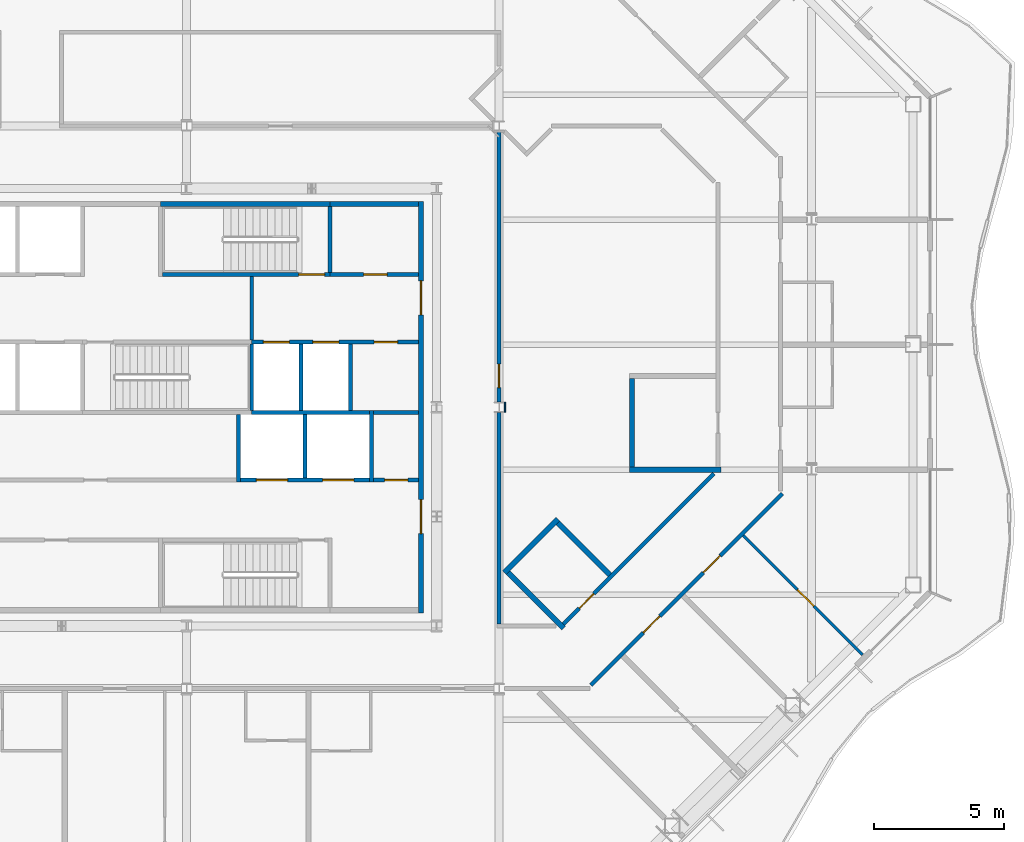
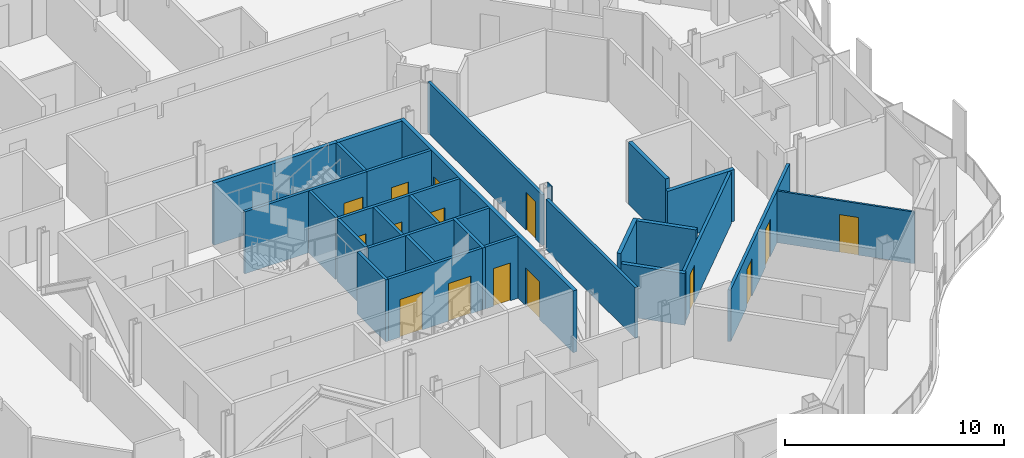
# One storey, part 10 of 21: 29 walls, 15 doors, 15 openings.
"""IFC4 building model written with IfcOpenShell, lengths in metres."""

import ifcopenshell
import ifcopenshell.guid

model = None  # the IFC model being written
_history = None  # IfcOwnerHistory: only IFC2X3 demands one
_inside = {}  # id of a spatial element -> (the spatial element, [elements in it])
_under = {}  # id of a project, library or spatial element -> (it, [spatial elements below it])
_declared = {}  # id of a project -> (the project, [libraries it declares])
_typed = {}  # id of a type object -> (the type object, [elements of that type])
_made_of = {}  # id of a material, layer set ... -> (it, [elements and type objects made of it])


def new_model(schema):
    """Start an empty IFC model of exactly this schema.

    Asked for "IFC4X3", IfcOpenShell would pick the latest addendum, in which some entities
    have other attributes; the version numbers below select the first issue.
    IFC2X3 requires an IfcOwnerHistory on every rooted entity: one is made here for all.
    """
    global model, _history
    if schema == "IFC4X3":
        model = ifcopenshell.file(schema_version=(4, 3, 0, 0))
    else:
        model = ifcopenshell.file(schema=schema)
    _inside.clear()
    _under.clear()
    _declared.clear()
    _typed.clear()
    _made_of.clear()
    _history = None
    if model.schema == "IFC2X3":
        org = make("IfcOrganization", Name="unknown")
        user = make(
            "IfcPersonAndOrganization",
            ThePerson=make("IfcPerson", FamilyName="unknown"),
            TheOrganization=org,
        )
        app = make(
            "IfcApplication",
            ApplicationDeveloper=org,
            Version="unknown",
            ApplicationFullName="unknown",
            ApplicationIdentifier="unknown",
        )
        _history = make(
            "IfcOwnerHistory",
            OwningUser=user,
            OwningApplication=app,
            ChangeAction="ADDED",
            CreationDate=0,
        )
    return model


def make(cls, **values):
    """One entity of the class cls with the attributes given. An attribute that is None is left unset."""
    return model.create_entity(
        cls, **{name: value for name, value in values.items() if value is not None}
    )


def rooted(cls, **values):
    """An entity with a GlobalId (a new one), such as an element, a storey or a relation."""
    return make(cls, GlobalId=ifcopenshell.guid.new(), OwnerHistory=_history, **values)


def si_unit(unit_type, name, prefix=None):
    """IfcSIUnit, for example si_unit("LENGTHUNIT", "METRE", prefix="MILLI")."""
    return make("IfcSIUnit", UnitType=unit_type, Prefix=prefix, Name=name)


def assignment(units):
    """IfcUnitAssignment: the units of a project."""
    return None if units is None else make("IfcUnitAssignment", Units=units)


def point(xyz):
    """IfcCartesianPoint."""
    return None if xyz is None else make("IfcCartesianPoint", Coordinates=xyz)


def direction(xyz):
    """IfcDirection."""
    return None if xyz is None else make("IfcDirection", DirectionRatios=xyz)


def frame(location, z_axis=None, x_axis=None):
    """IfcAxis2Placement3D, a coordinate frame: its origin and axes. An axis left out is left unset."""
    return make(
        "IfcAxis2Placement3D",
        Location=point(location),
        Axis=direction(z_axis),
        RefDirection=direction(x_axis),
    )


def frame_2d(location, x_axis=None):
    """IfcAxis2Placement2D, a coordinate frame in the plane: its origin and x axis."""
    return make(
        "IfcAxis2Placement2D", Location=point(location), RefDirection=direction(x_axis)
    )


def origin():
    """The frame at (0, 0, 0) with its axes left unset."""
    return frame((0.0, 0.0, 0.0))


def place(relative_to, where):
    """IfcLocalPlacement: puts the frame where relative to a parent placement (None: the world)."""
    return make(
        "IfcLocalPlacement", PlacementRelTo=relative_to, RelativePlacement=where
    )


def context(
    kind, dimensions, precision=None, world=None, true_north=None, identifier=None
):
    """IfcGeometricRepresentationContext, for example the 3D "Model" context."""
    return make(
        "IfcGeometricRepresentationContext",
        ContextIdentifier=identifier,
        ContextType=kind,
        CoordinateSpaceDimension=dimensions,
        Precision=precision,
        WorldCoordinateSystem=world,
        TrueNorth=true_north,
    )


def subcontext(parent, identifier, kind, view, scale=None):
    """IfcGeometricRepresentationSubContext, for example "Body" below "Model"."""
    return make(
        "IfcGeometricRepresentationSubContext",
        ContextIdentifier=identifier,
        ContextType=kind,
        ParentContext=parent,
        TargetScale=scale,
        TargetView=view,
    )


def project(units=None, contexts=None):
    """IfcProject with its units and contexts."""
    return rooted(
        "IfcProject",
        Name="project",
        RepresentationContexts=contexts,
        UnitsInContext=assignment(units),
    )


def spatial(cls, under=None, at=None, **own):
    """A site, building, storey or space (cls), placed at a placement, below another one or the project."""
    s = rooted(cls, ObjectPlacement=at, **own)
    if under is not None:
        _under.setdefault(under.id(), (under, []))[1].append(s)
    return s


def polyline(points):
    """IfcPolyline through the points."""
    return make("IfcPolyline", Points=[point(p) for p in points])


def profile(cls, at=None, kind="AREA", **sizes):
    """A parametric profile (cls). Its sizes go by their IFC names, for example OverallWidth=200.0."""
    return make(cls, ProfileType=kind, Position=at, **sizes)


def rectangle(**sizes):
    """IfcRectangleProfileDef."""
    return profile("IfcRectangleProfileDef", **sizes)


def outline(outer, holes=None, kind="AREA"):
    """IfcArbitraryClosedProfileDef: a profile drawn as a closed curve; with holes, ...WithVoids."""
    if holes is None:
        return make("IfcArbitraryClosedProfileDef", ProfileType=kind, OuterCurve=outer)
    return make(
        "IfcArbitraryProfileDefWithVoids",
        ProfileType=kind,
        OuterCurve=outer,
        InnerCurves=holes,
    )


def extrude(swept, where, along, depth):
    """IfcExtrudedAreaSolid: the profile swept, set in the frame where, extruded along a direction by depth."""
    return make(
        "IfcExtrudedAreaSolid",
        SweptArea=swept,
        Position=where,
        ExtrudedDirection=direction(along),
        Depth=depth,
    )


def shape(context_of_items, identifier, shape_type, items):
    """IfcShapeRepresentation: the items that make up one representation, for example the "Body"."""
    return make(
        "IfcShapeRepresentation",
        ContextOfItems=context_of_items,
        RepresentationIdentifier=identifier,
        RepresentationType=shape_type,
        Items=items,
    )


def material(Name=None, Category=None):
    """IfcMaterial."""
    return make("IfcMaterial", Name=Name, Category=Category)


def layer(
    of_material, thickness, ventilated=None, Name=None, Category=None, Priority=None
):
    """IfcMaterialLayer: one layer of a wall or slab, of a material (None: an air gap)."""
    return make(
        "IfcMaterialLayer",
        Material=of_material,
        LayerThickness=thickness,
        IsVentilated=ventilated,
        Name=Name,
        Category=Category,
        Priority=Priority,
    )


def layer_set(layers, Name=None):
    """IfcMaterialLayerSet."""
    return make("IfcMaterialLayerSet", MaterialLayers=layers, LayerSetName=Name)


def made_of(thing, what):
    """Note that an element or type object is made of a material, layer set ...; save() writes the relation."""
    if what is not None:
        _made_of.setdefault(what.id(), (what, []))[1].append(thing)
    return thing


def type_object(cls, material=None, **own):
    """A type object (cls), such as IfcWallType, which elements share."""
    return made_of(rooted(cls, **own), material)


def element(
    cls,
    number,
    at=None,
    inside=None,
    cuts=None,
    type_object=None,
    material=None,
    context=None,
    identifier="Body",
    shape_type=None,
    held_by="IfcProductDefinitionShape",
    body=None,
    shapes=None,
    **own,
):
    """One element of the class cls, such as IfcWall. Its Tag is "e" and its number.

    at: its placement. inside: the storey or other place that contains it. cuts: it is an
    opening in that element (IfcRelVoidsElement). A single representation is given by context,
    identifier, shape_type and body (its items); several are given by shapes. held_by: the class
    of the entity that holds the representations. save() writes the other relations.
    """
    e = rooted(cls, Tag="e%d" % number, ObjectPlacement=at, **own)
    if body is not None:
        shapes = [shape(context, identifier, shape_type, body)]
    if shapes is not None:
        e.Representation = make(held_by, Representations=shapes)
    if inside is not None:
        _inside.setdefault(inside.id(), (inside, []))[1].append(e)
    if cuts is not None:
        rooted(
            "IfcRelVoidsElement", RelatingBuildingElement=cuts, RelatedOpeningElement=e
        )
    if type_object is not None:
        _typed.setdefault(type_object.id(), (type_object, []))[1].append(e)
    return made_of(e, material)


def fill(opening, filler):
    """IfcRelFillsElement: the door or window that sits in an opening."""
    return rooted(
        "IfcRelFillsElement",
        RelatingOpeningElement=opening,
        RelatedBuildingElement=filler,
    )


def aggregate(whole, parts):
    """IfcRelAggregates: a whole, such as a stair, and the parts it consists of."""
    return rooted("IfcRelAggregates", RelatingObject=whole, RelatedObjects=parts)


def save(model, path):
    """Write the relations noted so far, then the file.

    IfcRelAggregates (storeys below a building ...), IfcRelContainedInSpatialStructure (elements
    in a storey), IfcRelDefinesByType, IfcRelAssociatesMaterial and IfcRelDeclares: one each for
    every whole, place, type object, material and project.
    """
    for whole, parts in _under.values():
        aggregate(whole, parts)
    for where, things in _inside.values():
        rooted(
            "IfcRelContainedInSpatialStructure",
            RelatedElements=things,
            RelatingStructure=where,
        )
    for kind, things in _typed.values():
        rooted("IfcRelDefinesByType", RelatedObjects=things, RelatingType=kind)
    for what, things in _made_of.values():
        rooted("IfcRelAssociatesMaterial", RelatedObjects=things, RelatingMaterial=what)
    for by, libraries in _declared.values():
        rooted("IfcRelDeclares", RelatingContext=by, RelatedDefinitions=libraries)
    model.write(path)


model = new_model("IFC4")

# Units and contexts
model_context = context("Model", 3, precision=1e-05, world=origin(), true_north=direction((0.0, 1.0)))
body_context = subcontext(model_context, "Body", "Model", "MODEL_VIEW")
ifc_project = project(units=[si_unit("LENGTHUNIT", "METRE"), si_unit("AREAUNIT", "SQUARE_METRE"), si_unit("VOLUMEUNIT", "CUBIC_METRE"), si_unit("PLANEANGLEUNIT", "RADIAN"), si_unit("MASSUNIT", "GRAM", prefix="KILO")], contexts=[model_context])

# Site, building, storey
site_placement = place(None, origin())
site = spatial("IfcSite", under=ifc_project, at=site_placement, CompositionType="ELEMENT")
building_placement = place(site_placement, origin())
building = spatial("IfcBuilding", under=site, at=building_placement, Name="Cairn Pilgrim Tower", CompositionType="ELEMENT")
storey_placement = place(building_placement, frame((0.0, 0.0, 161.39990234375)))
storey = spatial("IfcBuildingStorey", under=building, at=storey_placement, Name="L40", CompositionType="ELEMENT", Elevation=161.39990234375)

# Wall
ifc_material_1 = material(Name="Concrete C32/40", Category="concrete")
ifc_layer_1 = layer(ifc_material_1, 0.199951171875)
ifc_layer_set_1 = layer_set([ifc_layer_1], Name="CORE OUTER WALL 200 EI 120")
wall_type_1 = type_object("IfcWallType", Name="CORE OUTER WALL 200 EI 120", PredefinedType="SOLIDWALL", material=ifc_layer_set_1)
wall_1_placement = place(storey_placement, frame((12.699951171875, 10.199951171875, 0.0), z_axis=(0.0, 0.0, 1.0), x_axis=(1.0, 0.0, 0.0)))
element("IfcWall", 1, at=wall_1_placement, inside=storey, type_object=wall_type_1, Name="CW:L40:H12-3", PredefinedType="SOLIDWALL", context=body_context, shape_type="SweptSolid", body=[
    extrude(rectangle(XDim=3.400146484375, YDim=0.199951171875, at=frame_2d((1.7001953125, 0.0))), origin(), (0.0, 0.0, 1.0), 3.4501953125),
])

# Wall, openings, doors
wall_2_placement = place(storey_placement, frame((16.199951171875, -5.5, 0.0), z_axis=(0.0, 0.0, 1.0), x_axis=(0.0, 1.0, 0.0)))
wall_2 = element("IfcWall", 2, at=wall_2_placement, inside=storey, type_object=wall_type_1, Name="CW:L40:V29", PredefinedType="SOLIDWALL", context=body_context, shape_type="SweptSolid", body=[
    extrude(rectangle(XDim=15.800048828125, YDim=0.199951171875, at=frame_2d((7.89990234375, 0.0))), origin(), (0.0, 0.0, 1.0), 3.4501953125),
])
opening_1_placement = place(wall_2_placement, frame((3.050048828125, 0.0, 0.0)))
opening_1 = element("IfcOpeningElement", 3, at=opening_1_placement, cuts=wall_2, Name="Opening CD-E1", PredefinedType="OPENING", context=body_context, shape_type="SweptSolid", body=[
    extrude(rectangle(XDim=1.300048828125, YDim=2.10009765625, at=frame_2d((0.64990234375, 1.050048828125))), frame((0.0, 0.10986328125, 0.0), z_axis=(0.0, -1.0, 0.0), x_axis=(1.0, 0.0, 0.0)), (0.0, 0.0, 1.0), 0.219970703125),
])
opening_2_placement = place(wall_2_placement, frame((11.449951171875, 0.0, 0.0)))
opening_2 = element("IfcOpeningElement", 4, at=opening_2_placement, cuts=wall_2, Name="Opening CD-E2", PredefinedType="OPENING", context=body_context, shape_type="SweptSolid", body=[
    extrude(rectangle(XDim=1.300048828125, YDim=2.10009765625, at=frame_2d((0.64990234375, 1.050048828125))), frame((0.0, 0.10986328125, 0.0), z_axis=(0.0, -1.0, 0.0), x_axis=(1.0, 0.0, 0.0)), (0.0, 0.0, 1.0), 0.219970703125),
])
ifc_material_2 = material(Name="Painted steel", Category="steel")
door_type_1 = type_object("IfcDoorType", Name="CORE LOBBY DOOR 1300x2100", OperationType="DOUBLE_DOOR_SINGLE_SWING", PredefinedType="DOOR", material=ifc_material_2)
door_1_placement = place(opening_1_placement, origin())
door_1 = element("IfcDoor", 5, at=door_1_placement, inside=storey, type_object=door_type_1, Name="CD-E1", OperationType="DOUBLE_DOOR_SINGLE_SWING", OverallHeight=2.10009765625, OverallWidth=1.300048828125, PredefinedType="DOOR", context=body_context, shape_type="SweptSolid", body=[
    extrude(rectangle(XDim=1.300048828125, YDim=2.10009765625, at=frame_2d((0.64990234375, 1.050048828125))), frame((0.0, 0.02490234375, 0.0), z_axis=(0.0, -1.0, 0.0), x_axis=(1.0, 0.0, 0.0)), (0.0, 0.0, 1.0), 0.050048828125),
])
fill(opening_1, door_1)
door_2_placement = place(opening_2_placement, origin())
door_2 = element("IfcDoor", 6, at=door_2_placement, inside=storey, type_object=door_type_1, Name="CD-E2", OperationType="DOUBLE_DOOR_SINGLE_SWING", OverallHeight=2.10009765625, OverallWidth=1.300048828125, PredefinedType="DOOR", context=body_context, shape_type="SweptSolid", body=[
    extrude(rectangle(XDim=1.300048828125, YDim=2.10009765625, at=frame_2d((0.64990234375, 1.050048828125))), frame((0.0, 0.02490234375, 0.0), z_axis=(0.0, -1.0, 0.0), x_axis=(1.0, 0.0, 0.0)), (0.0, 0.0, 1.0), 0.050048828125),
])
fill(opening_2, door_2)

# Wall, opening, door
ifc_layer_2 = layer(ifc_material_1, 0.14990234375)
ifc_layer_set_2 = layer_set([ifc_layer_2], Name="CORE PARTITION 150 EI 60")
wall_type_2 = type_object("IfcWallType", Name="CORE PARTITION 150 EI 60", PredefinedType="PARTITIONING", material=ifc_layer_set_2)
wall_3_placement = place(storey_placement, frame((14.375, -0.39990234375, 0.0), z_axis=(0.0, 0.0, 1.0), x_axis=(1.0, 0.0, 0.0)))
wall_3 = element("IfcWall", 7, at=wall_3_placement, inside=storey, type_object=wall_type_2, Name="CW:L40:H06", PredefinedType="PARTITIONING", context=body_context, shape_type="SweptSolid", body=[
    extrude(rectangle(XDim=1.72509765625, YDim=0.14990234375, at=frame_2d((0.862548828125, 0.0))), origin(), (0.0, 0.0, 1.0), 3.4501953125),
])
opening_3_placement = place(wall_3_placement, frame((0.425048828125, 0.0, 0.0)))
opening_3 = element("IfcOpeningElement", 8, at=opening_3_placement, cuts=wall_3, Name="Opening RD-R2E", PredefinedType="OPENING", context=body_context, shape_type="SweptSolid", body=[
    extrude(rectangle(XDim=0.89990234375, YDim=2.10009765625, at=frame_2d((0.449951171875, 1.050048828125))), frame((0.0, 0.0849609375, 0.0), z_axis=(0.0, -1.0, 0.0), x_axis=(1.0, 0.0, 0.0)), (0.0, 0.0, 1.0), 0.169921875),
])
door_type_2 = type_object("IfcDoorType", Name="SERVICE ROOM DOOR 900x2100", OperationType="SINGLE_SWING_LEFT", PredefinedType="DOOR", material=ifc_material_2)
door_3_placement = place(opening_3_placement, origin())
door_3 = element("IfcDoor", 9, at=door_3_placement, inside=storey, type_object=door_type_2, Name="RD-R2E", OperationType="SINGLE_SWING_RIGHT", OverallHeight=2.10009765625, OverallWidth=0.89990234375, PredefinedType="DOOR", context=body_context, shape_type="SweptSolid", body=[
    extrude(rectangle(XDim=0.89990234375, YDim=2.10009765625, at=frame_2d((0.449951171875, 1.050048828125))), frame((0.0, 0.02490234375, 0.0), z_axis=(0.0, -1.0, 0.0), x_axis=(1.0, 0.0, 0.0)), (0.0, 0.0, 1.0), 0.050048828125),
])
fill(opening_3, door_3)

# Wall
wall_4_placement = place(storey_placement, frame((14.375, 2.199951171875, 0.0), z_axis=(0.0, 0.0, 1.0), x_axis=(1.0, 0.0, 0.0)))
element("IfcWall", 10, at=wall_4_placement, inside=storey, type_object=wall_type_2, Name="CW:L40:H08", PredefinedType="PARTITIONING", context=body_context, shape_type="SweptSolid", body=[
    extrude(rectangle(XDim=1.72509765625, YDim=0.14990234375, at=frame_2d((0.862548828125, 0.0))), origin(), (0.0, 0.0, 1.0), 3.4501953125),
])

# Wall, openings, doors
ifc_layer_3 = layer(ifc_material_1, 0.14990234375)
ifc_layer_set_3 = layer_set([ifc_layer_3], Name="CORE SHAFT WALL 150 EI 120")
wall_type_3 = type_object("IfcWallType", Name="CORE SHAFT WALL 150 EI 120", PredefinedType="SOLIDWALL", material=ifc_layer_set_3)
wall_5_placement = place(storey_placement, frame((9.27490234375, -0.39990234375, 0.0), z_axis=(0.0, 0.0, 1.0), x_axis=(1.0, 0.0, 0.0)))
wall_5 = element("IfcWall", 11, at=wall_5_placement, inside=storey, type_object=wall_type_3, Name="CW:L40:H05", PredefinedType="SOLIDWALL", context=body_context, shape_type="SweptSolid", body=[
    extrude(rectangle(XDim=4.9501953125, YDim=0.14990234375, at=frame_2d((2.47509765625, 0.0))), origin(), (0.0, 0.0, 1.0), 3.4501953125),
])
opening_4_placement = place(wall_5_placement, frame((0.60009765625, 0.0, 0.0)))
opening_4 = element("IfcOpeningElement", 12, at=opening_4_placement, cuts=wall_5, Name="Opening LD-SV1", PredefinedType="OPENING", context=body_context, shape_type="SweptSolid", body=[
    extrude(rectangle(XDim=1.199951171875, YDim=2.10009765625, at=frame_2d((0.60009765625, 1.050048828125))), frame((0.0, 0.0849609375, 0.0), z_axis=(0.0, -1.0, 0.0), x_axis=(1.0, 0.0, 0.0)), (0.0, 0.0, 1.0), 0.169921875),
])
opening_5_placement = place(wall_5_placement, frame((3.14990234375, 0.0, 0.0)))
opening_5 = element("IfcOpeningElement", 13, at=opening_5_placement, cuts=wall_5, Name="Opening LD-SV2", PredefinedType="OPENING", context=body_context, shape_type="SweptSolid", body=[
    extrude(rectangle(XDim=1.199951171875, YDim=2.10009765625, at=frame_2d((0.60009765625, 1.050048828125))), frame((0.0, 0.0849609375, 0.0), z_axis=(0.0, -1.0, 0.0), x_axis=(1.0, 0.0, 0.0)), (0.0, 0.0, 1.0), 0.169921875),
])
ifc_material_3 = material(Name="Stainless steel", Category="steel")
door_type_3 = type_object("IfcDoorType", Name="LIFT LANDING DOOR 1200x2100", OperationType="DOUBLE_DOOR_SLIDING", PredefinedType="DOOR", material=ifc_material_3)
door_4_placement = place(opening_4_placement, origin())
door_4 = element("IfcDoor", 14, at=door_4_placement, inside=storey, type_object=door_type_3, Name="LANDING DOOR SV1", OperationType="DOUBLE_DOOR_SLIDING", OverallHeight=2.10009765625, OverallWidth=1.199951171875, PredefinedType="DOOR", context=body_context, shape_type="SweptSolid", body=[
    extrude(rectangle(XDim=1.199951171875, YDim=2.10009765625, at=frame_2d((0.60009765625, 1.050048828125))), frame((0.0, 0.02490234375, 0.0), z_axis=(0.0, -1.0, 0.0), x_axis=(1.0, 0.0, 0.0)), (0.0, 0.0, 1.0), 0.050048828125),
])
fill(opening_4, door_4)
door_5_placement = place(opening_5_placement, origin())
door_5 = element("IfcDoor", 15, at=door_5_placement, inside=storey, type_object=door_type_3, Name="LANDING DOOR SV2", OperationType="DOUBLE_DOOR_SLIDING", OverallHeight=2.10009765625, OverallWidth=1.199951171875, PredefinedType="DOOR", context=body_context, shape_type="SweptSolid", body=[
    extrude(rectangle(XDim=1.199951171875, YDim=2.10009765625, at=frame_2d((0.60009765625, 1.050048828125))), frame((0.0, 0.02490234375, 0.0), z_axis=(0.0, -1.0, 0.0), x_axis=(1.0, 0.0, 0.0)), (0.0, 0.0, 1.0), 0.050048828125),
])
fill(opening_5, door_5)

# Wall
wall_6_placement = place(storey_placement, frame((9.699951171875, 2.199951171875, 0.0), z_axis=(0.0, 0.0, 1.0), x_axis=(1.0, 0.0, 0.0)))
element("IfcWall", 16, at=wall_6_placement, inside=storey, type_object=wall_type_3, Name="CW:L40:H07-3", PredefinedType="SOLIDWALL", context=body_context, shape_type="SweptSolid", body=[
    extrude(rectangle(XDim=4.525146484375, YDim=0.14990234375, at=frame_2d((2.2626953125, 0.0))), origin(), (0.0, 0.0, 1.0), 3.4501953125),
])

# Wall, openings, doors
wall_7_placement = place(storey_placement, frame((9.699951171875, 4.89990234375, 0.0), z_axis=(0.0, 0.0, 1.0), x_axis=(1.0, 0.0, 0.0)))
wall_7 = element("IfcWall", 17, at=wall_7_placement, inside=storey, type_object=wall_type_3, Name="CW:L40:H09-3", PredefinedType="SOLIDWALL", context=body_context, shape_type="SweptSolid", body=[
    extrude(rectangle(XDim=6.400146484375, YDim=0.14990234375, at=frame_2d((3.2001953125, 0.0))), origin(), (0.0, 0.0, 1.0), 3.4501953125),
])
opening_6_placement = place(wall_7_placement, frame((0.449951171875, 0.0, 0.0)))
opening_6 = element("IfcOpeningElement", 18, at=opening_6_placement, cuts=wall_7, Name="Opening LD-FF1", PredefinedType="OPENING", context=body_context, shape_type="SweptSolid", body=[
    extrude(rectangle(XDim=1.0, YDim=2.10009765625, at=frame_2d((0.5, 1.050048828125))), frame((0.0, 0.0849609375, 0.0), z_axis=(0.0, -1.0, 0.0), x_axis=(1.0, 0.0, 0.0)), (0.0, 0.0, 1.0), 0.169921875),
])
opening_7_placement = place(wall_7_placement, frame((2.35009765625, 0.0, 0.0)))
opening_7 = element("IfcOpeningElement", 19, at=opening_7_placement, cuts=wall_7, Name="Opening LD-FF2", PredefinedType="OPENING", context=body_context, shape_type="SweptSolid", body=[
    extrude(rectangle(XDim=1.0, YDim=2.10009765625, at=frame_2d((0.5, 1.050048828125))), frame((0.0, 0.0849609375, 0.0), z_axis=(0.0, -1.0, 0.0), x_axis=(1.0, 0.0, 0.0)), (0.0, 0.0, 1.0), 0.169921875),
])
opening_8_placement = place(wall_7_placement, frame((4.699951171875, 0.0, 0.0)))
opening_8 = element("IfcOpeningElement", 20, at=opening_8_placement, cuts=wall_7, Name="Opening RD-R3E", PredefinedType="OPENING", context=body_context, shape_type="SweptSolid", body=[
    extrude(rectangle(XDim=0.89990234375, YDim=2.10009765625, at=frame_2d((0.449951171875, 1.050048828125))), frame((0.0, 0.0849609375, 0.0), z_axis=(0.0, -1.0, 0.0), x_axis=(1.0, 0.0, 0.0)), (0.0, 0.0, 1.0), 0.169921875),
])
door_type_4 = type_object("IfcDoorType", Name="LIFT LANDING DOOR FIRE 1000x2100", OperationType="DOUBLE_DOOR_SLIDING", PredefinedType="DOOR", material=ifc_material_3)
door_6_placement = place(opening_6_placement, origin())
door_6 = element("IfcDoor", 21, at=door_6_placement, inside=storey, type_object=door_type_4, Name="LANDING DOOR FF1", OperationType="DOUBLE_DOOR_SLIDING", OverallHeight=2.10009765625, OverallWidth=1.0, PredefinedType="DOOR", context=body_context, shape_type="SweptSolid", body=[
    extrude(rectangle(XDim=1.0, YDim=2.10009765625, at=frame_2d((0.5, 1.050048828125))), frame((0.0, 0.02490234375, 0.0), z_axis=(0.0, -1.0, 0.0), x_axis=(1.0, 0.0, 0.0)), (0.0, 0.0, 1.0), 0.050048828125),
])
fill(opening_6, door_6)
door_7_placement = place(opening_7_placement, origin())
door_7 = element("IfcDoor", 22, at=door_7_placement, inside=storey, type_object=door_type_4, Name="LANDING DOOR FF2", OperationType="DOUBLE_DOOR_SLIDING", OverallHeight=2.10009765625, OverallWidth=1.0, PredefinedType="DOOR", context=body_context, shape_type="SweptSolid", body=[
    extrude(rectangle(XDim=1.0, YDim=2.10009765625, at=frame_2d((0.5, 1.050048828125))), frame((0.0, 0.02490234375, 0.0), z_axis=(0.0, -1.0, 0.0), x_axis=(1.0, 0.0, 0.0)), (0.0, 0.0, 1.0), 0.050048828125),
])
fill(opening_7, door_7)
door_8_placement = place(opening_8_placement, origin())
door_8 = element("IfcDoor", 23, at=door_8_placement, inside=storey, type_object=door_type_2, Name="RD-R3E", OperationType="SINGLE_SWING_LEFT", OverallHeight=2.10009765625, OverallWidth=0.89990234375, PredefinedType="DOOR", context=body_context, shape_type="SweptSolid", body=[
    extrude(rectangle(XDim=0.89990234375, YDim=2.10009765625, at=frame_2d((0.449951171875, 1.050048828125))), frame((0.0, 0.02490234375, 0.0), z_axis=(0.0, -1.0, 0.0), x_axis=(1.0, 0.0, 0.0)), (0.0, 0.0, 1.0), 0.050048828125),
])
fill(opening_8, door_8)

# Wall, opening, door
wall_8_placement = place(storey_placement, frame((12.699951171875, 7.5, 0.0), z_axis=(0.0, 0.0, 1.0), x_axis=(1.0, 0.0, 0.0)))
wall_8 = element("IfcWall", 24, at=wall_8_placement, inside=storey, type_object=wall_type_3, Name="CW:L40:H11-2", PredefinedType="SOLIDWALL", context=body_context, shape_type="SweptSolid", body=[
    extrude(rectangle(XDim=3.400146484375, YDim=0.14990234375, at=frame_2d((1.7001953125, 0.0))), origin(), (0.0, 0.0, 1.0), 3.4501953125),
])
opening_9_placement = place(wall_8_placement, frame((1.300048828125, 0.0, 0.0)))
opening_9 = element("IfcOpeningElement", 25, at=opening_9_placement, cuts=wall_8, Name="Opening RD-R4E", PredefinedType="OPENING", context=body_context, shape_type="SweptSolid", body=[
    extrude(rectangle(XDim=0.89990234375, YDim=2.10009765625, at=frame_2d((0.449951171875, 1.050048828125))), frame((0.0, 0.0849609375, 0.0), z_axis=(0.0, -1.0, 0.0), x_axis=(1.0, 0.0, 0.0)), (0.0, 0.0, 1.0), 0.169921875),
])
door_9_placement = place(opening_9_placement, origin())
door_9 = element("IfcDoor", 26, at=door_9_placement, inside=storey, type_object=door_type_2, Name="RD-R4E", OperationType="SINGLE_SWING_RIGHT", OverallHeight=2.10009765625, OverallWidth=0.89990234375, PredefinedType="DOOR", context=body_context, shape_type="SweptSolid", body=[
    extrude(rectangle(XDim=0.89990234375, YDim=2.10009765625, at=frame_2d((0.449951171875, 1.050048828125))), frame((0.0, 0.02490234375, 0.0), z_axis=(0.0, -1.0, 0.0), x_axis=(1.0, 0.0, 0.0)), (0.0, 0.0, 1.0), 0.050048828125),
])
fill(opening_9, door_9)

# Walls
wall_9_placement = place(storey_placement, frame((9.199951171875, -0.47509765625, 0.0), z_axis=(0.0, 0.0, 1.0), x_axis=(0.0, 1.0, 0.0)))
element("IfcWall", 27, at=wall_9_placement, inside=storey, type_object=wall_type_3, Name="CW:L40:V20", PredefinedType="SOLIDWALL", context=body_context, shape_type="SweptSolid", body=[
    extrude(rectangle(XDim=2.60009765625, YDim=0.14990234375, at=frame_2d((1.300048828125, 0.0))), origin(), (0.0, 0.0, 1.0), 3.4501953125),
])
wall_10_placement = place(storey_placement, frame((9.699951171875, 4.97509765625, 0.0), z_axis=(0.0, 0.0, 1.0), x_axis=(0.0, 1.0, 0.0)))
element("IfcWall", 28, at=wall_10_placement, inside=storey, type_object=wall_type_3, Name="CW:L40:V22", PredefinedType="SOLIDWALL", context=body_context, shape_type="SweptSolid", body=[
    extrude(rectangle(XDim=2.449951171875, YDim=0.14990234375, at=frame_2d((1.22509765625, 0.0))), origin(), (0.0, 0.0, 1.0), 3.4501953125),
])
wall_11_placement = place(storey_placement, frame((11.60009765625, 2.27490234375, 0.0), z_axis=(0.0, 0.0, 1.0), x_axis=(0.0, 1.0, 0.0)))
element("IfcWall", 29, at=wall_11_placement, inside=storey, type_object=wall_type_3, Name="CW:L40:V23", PredefinedType="SOLIDWALL", context=body_context, shape_type="SweptSolid", body=[
    extrude(rectangle(XDim=2.550048828125, YDim=0.14990234375, at=frame_2d((1.27490234375, 0.0))), origin(), (0.0, 0.0, 1.0), 3.4501953125),
])
wall_12_placement = place(storey_placement, frame((11.75, -0.324951171875, 0.0), z_axis=(0.0, 0.0, 1.0), x_axis=(0.0, 1.0, 0.0)))
element("IfcWall", 30, at=wall_12_placement, inside=storey, type_object=wall_type_3, Name="CW:L40:V24", PredefinedType="SOLIDWALL", context=body_context, shape_type="SweptSolid", body=[
    extrude(rectangle(XDim=2.449951171875, YDim=0.14990234375, at=frame_2d((1.22509765625, 0.0))), origin(), (0.0, 0.0, 1.0), 3.4501953125),
])
wall_13_placement = place(storey_placement, frame((13.5, 2.27490234375, 0.0), z_axis=(0.0, 0.0, 1.0), x_axis=(0.0, 1.0, 0.0)))
element("IfcWall", 31, at=wall_13_placement, inside=storey, type_object=wall_type_3, Name="CW:L40:V27", PredefinedType="SOLIDWALL", context=body_context, shape_type="SweptSolid", body=[
    extrude(rectangle(XDim=2.550048828125, YDim=0.14990234375, at=frame_2d((1.27490234375, 0.0))), origin(), (0.0, 0.0, 1.0), 3.4501953125),
])
wall_14_placement = place(storey_placement, frame((14.300048828125, -0.47509765625, 0.0), z_axis=(0.0, 0.0, 1.0), x_axis=(0.0, 1.0, 0.0)))
element("IfcWall", 32, at=wall_14_placement, inside=storey, type_object=wall_type_3, Name="CW:L40:V28", PredefinedType="SOLIDWALL", context=body_context, shape_type="SweptSolid", body=[
    extrude(rectangle(XDim=2.75, YDim=0.14990234375, at=frame_2d((1.375, 0.0))), origin(), (0.0, 0.0, 1.0), 3.4501953125),
])

# Wall, opening, door
ifc_material_4 = material(Name="Gypsum partition")
ifc_layer_4 = layer(ifc_material_4, 0.10009765625)
ifc_layer_set_4 = layer_set([ifc_layer_4], Name="PARTITION 100 DRYWALL")
wall_type_4 = type_object("IfcWallType", Name="PARTITION 100 DRYWALL", PredefinedType="PARTITIONING", material=ifc_layer_set_4)
wall_15_placement = place(storey_placement, frame((33.1552734375, -7.107421875, 0.0), z_axis=(0.0, 0.0, 1.0), x_axis=(-0.70708794033, 0.707125621541, 0.0)))
wall_15 = element("IfcWall", 33, at=wall_15_placement, inside=storey, type_object=wall_type_4, Name="PARTITION W027", PredefinedType="PARTITIONING", context=body_context, shape_type="SweptSolid", body=[
    extrude(rectangle(XDim=6.47900390625, YDim=0.10009765625, at=frame_2d((3.239501953125, 0.0))), origin(), (0.0, 0.0, 1.0), 2.880126953125),
])
opening_10_placement = place(wall_15_placement, frame((2.636962890625, 0.0, 0.0)))
opening_10 = element("IfcOpeningElement", 34, at=opening_10_placement, cuts=wall_15, Name="Opening 4005", PredefinedType="OPENING", context=body_context, shape_type="SweptSolid", body=[
    extrude(rectangle(XDim=0.89990234375, YDim=2.10009765625, at=frame_2d((0.449951171875, 1.050048828125))), frame((0.0, 0.06005859375, 0.0), z_axis=(0.0, -1.0, 0.0), x_axis=(1.0, 0.0, 0.0)), (0.0, 0.0, 1.0), 0.1201171875),
])
ifc_material_5 = material(Name="Timber door leaf", Category="wood")
door_type_5 = type_object("IfcDoorType", Name="SERVICE DOOR 900x2100", OperationType="NOTDEFINED", PredefinedType="DOOR", material=ifc_material_5)
door_10_placement = place(opening_10_placement, frame((0.89990234375, 0.0, 0.0), z_axis=(0.0, 0.0, 1.0), x_axis=(-1.0, 0.0, 0.0)))
door_10 = element("IfcDoor", 35, at=door_10_placement, inside=storey, type_object=door_type_5, Name="DOOR 4005", OperationType="SINGLE_SWING_RIGHT", OverallHeight=2.10009765625, OverallWidth=0.89990234375, PredefinedType="DOOR", context=body_context, shape_type="SweptSolid", body=[
    extrude(rectangle(XDim=0.89990234375, YDim=2.10009765625, at=frame_2d((0.449951171875, 1.050048828125))), frame((0.0, 0.02490234375, 0.0), z_axis=(0.0, -1.0, 0.0), x_axis=(1.0, 0.0, 0.0)), (0.0, 0.0, 1.0), 0.050048828125),
])
fill(opening_10, door_10)

# Wall, openings, doors
ifc_layer_5 = layer(ifc_material_4, 0.14990234375)
ifc_layer_set_5 = layer_set([ifc_layer_5], Name="PARTITION 150 DRYWALL EI 60")
wall_type_5 = type_object("IfcWallType", Name="PARTITION 150 DRYWALL EI 60", PredefinedType="PARTITIONING", material=ifc_layer_set_5)
wall_16_placement = place(storey_placement, frame((22.721923828125, -8.27197265625, 0.0), z_axis=(0.0, 0.0, 1.0), x_axis=(0.707106781187, 0.707106781187, 0.0)))
wall_16 = element("IfcWall", 36, at=wall_16_placement, inside=storey, type_object=wall_type_5, Name="PARTITION W026", PredefinedType="PARTITIONING", context=body_context, shape_type="SweptSolid", body=[
    extrude(rectangle(XDim=10.398681640625, YDim=0.14990234375, at=frame_2d((5.19921875, 0.0))), origin(), (0.0, 0.0, 1.0), 2.880126953125),
])
opening_11_placement = place(wall_16_placement, frame((2.846435546875, 0.0, 0.0)))
opening_11 = element("IfcOpeningElement", 37, at=opening_11_placement, cuts=wall_16, Name="Opening 4003", PredefinedType="OPENING", context=body_context, shape_type="SweptSolid", body=[
    extrude(rectangle(XDim=0.89990234375, YDim=2.10009765625, at=frame_2d((0.449951171875, 1.050048828125))), frame((0.0, 0.0849609375, 0.0), z_axis=(0.0, -1.0, 0.0), x_axis=(1.0, 0.0, 0.0)), (0.0, 0.0, 1.0), 0.169921875),
])
opening_12_placement = place(wall_16_placement, frame((6.115966796875, 0.0, 0.0)))
opening_12 = element("IfcOpeningElement", 38, at=opening_12_placement, cuts=wall_16, Name="Opening 4004", PredefinedType="OPENING", context=body_context, shape_type="SweptSolid", body=[
    extrude(rectangle(XDim=0.89990234375, YDim=2.10009765625, at=frame_2d((0.449951171875, 1.050048828125))), frame((0.0, 0.0849609375, 0.0), z_axis=(0.0, -1.0, 0.0), x_axis=(1.0, 0.0, 0.0)), (0.0, 0.0, 1.0), 0.169921875),
])
door_type_6 = type_object("IfcDoorType", Name="ROOM DOOR 900x2100 FD30S", OperationType="NOTDEFINED", PredefinedType="DOOR", material=ifc_material_5)
door_11_placement = place(opening_12_placement, frame((0.89990234375, 0.0, 0.0), z_axis=(0.0, 0.0, 1.0), x_axis=(-1.0, 0.0, 0.0)))
door_11 = element("IfcDoor", 39, at=door_11_placement, inside=storey, type_object=door_type_6, Name="DOOR 4004", OperationType="SINGLE_SWING_RIGHT", OverallHeight=2.10009765625, OverallWidth=0.89990234375, PredefinedType="DOOR", context=body_context, shape_type="SweptSolid", body=[
    extrude(rectangle(XDim=0.89990234375, YDim=2.10009765625, at=frame_2d((0.449951171875, 1.050048828125))), frame((0.0, 0.02490234375, 0.0), z_axis=(0.0, -1.0, 0.0), x_axis=(1.0, 0.0, 0.0)), (0.0, 0.0, 1.0), 0.050048828125),
])
fill(opening_12, door_11)
door_type_7 = type_object("IfcDoorType", Name="SERVICE DOOR 900x2100 FD30S", OperationType="NOTDEFINED", PredefinedType="DOOR", material=ifc_material_5)
door_12_placement = place(opening_11_placement, frame((0.89990234375, 0.0, 0.0), z_axis=(0.0, 0.0, 1.0), x_axis=(-1.0, 0.0, 0.0)))
door_12 = element("IfcDoor", 40, at=door_12_placement, inside=storey, type_object=door_type_7, Name="DOOR 4003", OperationType="SINGLE_SWING_RIGHT", OverallHeight=2.10009765625, OverallWidth=0.89990234375, PredefinedType="DOOR", context=body_context, shape_type="SweptSolid", body=[
    extrude(rectangle(XDim=0.89990234375, YDim=2.10009765625, at=frame_2d((0.449951171875, 1.050048828125))), frame((0.0, 0.02490234375, 0.0), z_axis=(0.0, -1.0, 0.0), x_axis=(1.0, 0.0, 0.0)), (0.0, 0.0, 1.0), 0.050048828125),
])
fill(opening_11, door_12)

# Wall
wall_17_placement = place(storey_placement, frame((19.199951171875, -5.925048828125, 0.0), z_axis=(0.0, 0.0, 1.0), x_axis=(0.0, 1.0, 0.0)))
element("IfcWall", 41, at=wall_17_placement, inside=storey, type_object=wall_type_5, Name="PARTITION W035", PredefinedType="PARTITIONING", context=body_context, shape_type="SweptSolid", body=[
    extrude(rectangle(XDim=8.128662109375, YDim=0.14990234375, at=frame_2d((4.064453125, 0.0))), origin(), (0.0, 0.0, 1.0), 2.830078125),
])

# Wall, opening, door
wall_18_placement = place(storey_placement, frame((21.670654296875, -5.92919921875, 0.0), z_axis=(0.0, 0.0, 1.0), x_axis=(0.707121724429, 0.707091837628, 0.0)))
wall_18 = element("IfcWall", 42, at=wall_18_placement, inside=storey, type_object=wall_type_5, Name="PARTITION W036", PredefinedType="PARTITIONING", context=body_context, shape_type="SweptSolid", body=[
    extrude(rectangle(XDim=8.1689453125, YDim=0.14990234375, at=frame_2d((4.08447265625, 0.0))), origin(), (0.0, 0.0, 1.0), 2.880126953125),
])
opening_13_placement = place(wall_18_placement, frame((0.85009765625, 0.0, 0.0)))
opening_13 = element("IfcOpeningElement", 43, at=opening_13_placement, cuts=wall_18, Name="Opening 4025", PredefinedType="OPENING", context=body_context, shape_type="SweptSolid", body=[
    extrude(rectangle(XDim=0.800048828125, YDim=2.10009765625, at=frame_2d((0.39990234375, 1.050048828125))), frame((0.0, 0.0849609375, 0.0), z_axis=(0.0, -1.0, 0.0), x_axis=(1.0, 0.0, 0.0)), (0.0, 0.0, 1.0), 0.169921875),
])
door_type_8 = type_object("IfcDoorType", Name="WC DOOR 800x2100 FD30S", OperationType="NOTDEFINED", PredefinedType="DOOR", material=ifc_material_5)
door_13_placement = place(opening_13_placement, origin())
door_13 = element("IfcDoor", 44, at=door_13_placement, inside=storey, type_object=door_type_8, Name="DOOR 4025", OperationType="SINGLE_SWING_RIGHT", OverallHeight=2.10009765625, OverallWidth=0.800048828125, PredefinedType="DOOR", context=body_context, shape_type="SweptSolid", body=[
    extrude(rectangle(XDim=0.800048828125, YDim=2.10009765625, at=frame_2d((0.39990234375, 1.050048828125))), frame((0.0, 0.02490234375, 0.0), z_axis=(0.0, -1.0, 0.0), x_axis=(1.0, 0.0, 0.0)), (0.0, 0.0, 1.0), 0.050048828125),
])
fill(opening_13, door_13)

wall_19_placement = place(storey_placement, frame((19.199951171875, 2.596435546875, 0.0), z_axis=(0.0, 0.0, 1.0), x_axis=(0.0, 1.0, 0.0)))
wall_19 = element("IfcWall", 45, at=wall_19_placement, inside=storey, type_object=wall_type_5, Name="PARTITION W055", PredefinedType="PARTITIONING", context=body_context, shape_type="SweptSolid", body=[
    extrude(rectangle(XDim=10.406982421875, YDim=0.14990234375, at=frame_2d((5.20361328125, 0.0))), origin(), (0.0, 0.0, 1.0), 2.830078125),
])
opening_14_placement = place(wall_19_placement, frame((0.553466796875, 0.0, 0.0)))
opening_14 = element("IfcOpeningElement", 46, at=opening_14_placement, cuts=wall_19, Name="Opening 4026", PredefinedType="OPENING", context=body_context, shape_type="SweptSolid", body=[
    extrude(rectangle(XDim=0.89990234375, YDim=2.10009765625, at=frame_2d((0.449951171875, 1.050048828125))), frame((0.0, 0.0849609375, 0.0), z_axis=(0.0, -1.0, 0.0), x_axis=(1.0, 0.0, 0.0)), (0.0, 0.0, 1.0), 0.169921875),
])
door_14_placement = place(opening_14_placement, frame((0.89990234375, 0.0, 0.0), z_axis=(0.0, 0.0, 1.0), x_axis=(-1.0, 0.0, 0.0)))
door_14 = element("IfcDoor", 47, at=door_14_placement, inside=storey, type_object=door_type_7, Name="DOOR 4026", OperationType="SINGLE_SWING_RIGHT", OverallHeight=2.10009765625, OverallWidth=0.89990234375, PredefinedType="DOOR", context=body_context, shape_type="SweptSolid", body=[
    extrude(rectangle(XDim=0.89990234375, YDim=2.10009765625, at=frame_2d((0.449951171875, 1.050048828125))), frame((0.0, 0.02490234375, 0.0), z_axis=(0.0, -1.0, 0.0), x_axis=(1.0, 0.0, 0.0)), (0.0, 0.0, 1.0), 0.050048828125),
])
fill(opening_14, door_14)

# Walls
ifc_layer_6 = layer(ifc_material_4, 0.050048828125)
ifc_layer_set_6 = layer_set([ifc_layer_6], Name="PARTITION 50 DRYWALL EI 60")
wall_type_6 = type_object("IfcWallType", Name="PARTITION 50 DRYWALL EI 60", PredefinedType="PARTITIONING", material=ifc_layer_set_6)
wall_20_placement = place(storey_placement, frame((19.424560546875, 2.20361328125, 0.0), z_axis=(0.0, 0.0, 1.0), x_axis=(0.0, 1.0, 0.0)))
element("IfcWall", 48, at=wall_20_placement, inside=storey, type_object=wall_type_6, Name="COLUMN CASING WC15", PredefinedType="PARTITIONING", context=body_context, shape_type="SweptSolid", body=[
    extrude(rectangle(XDim=0.392822265625, YDim=0.050048828125, at=frame_2d((0.1962890625, 0.0))), origin(), (0.0, 0.0, 1.0), 3.4501953125),
])
ifc_layer_7 = layer(ifc_material_4, 0.199951171875)
ifc_layer_set_7 = layer_set([ifc_layer_7], Name="SHAFT WALL 200 GYPSUM EI 60")
wall_type_7 = type_object("IfcWallType", Name="SHAFT WALL 200 GYPSUM EI 60", PredefinedType="PARTITIONING", material=ifc_layer_set_7)
wall_21_placement = place(storey_placement, frame((21.682373046875, -6.082275390625, 0.0), z_axis=(0.0, 0.0, 1.0), x_axis=(-0.707106781187, 0.707106781187, 0.0)))
element("IfcWall", 49, at=wall_21_placement, inside=storey, type_object=wall_type_7, Name="PARTITION W030", PredefinedType="PARTITIONING", context=body_context, shape_type="SweptSolid", body=[
    extrude(rectangle(XDim=3.015869140625, YDim=0.199951171875, at=frame_2d((1.5078125, 0.0))), origin(), (0.0, 0.0, 1.0), 2.880126953125),
])
wall_22_placement = place(storey_placement, frame((23.4560546875, -4.0380859375, 0.0), z_axis=(0.0, 0.0, 1.0), x_axis=(-0.707106781187, 0.707106781187, 0.0)))
element("IfcWall", 50, at=wall_22_placement, inside=storey, type_object=wall_type_7, Name="PARTITION W038", PredefinedType="PARTITIONING", context=body_context, shape_type="SweptSolid", body=[
    extrude(rectangle(XDim=2.82470703125, YDim=0.199951171875, at=frame_2d((1.412353515625, 0.0))), origin(), (0.0, 0.0, 1.0), 3.4501953125),
])
wall_23_placement = place(storey_placement, frame((19.408203125, -3.94970703125, 0.0), z_axis=(0.0, 0.0, 1.0), x_axis=(0.70714887714, 0.707064682727, 0.0)))
element("IfcWall", 51, at=wall_23_placement, inside=storey, type_object=wall_type_7, Name="PARTITION W039", PredefinedType="PARTITIONING", context=body_context, shape_type="SweptSolid", body=[
    extrude(rectangle(XDim=2.899658203125, YDim=0.199951171875, at=frame_2d((1.44970703125, 0.0))), origin(), (0.0, 0.0, 1.0), 3.4501953125),
])
wall_24_placement = place(storey_placement, frame((24.199951171875, 0.0, 0.0), z_axis=(0.0, 0.0, 1.0), x_axis=(1.0, 0.0, 0.0)))
element("IfcWall", 52, at=wall_24_placement, inside=storey, type_object=wall_type_7, Name="PARTITION W045", PredefinedType="PARTITIONING", context=body_context, shape_type="SweptSolid", body=[
    extrude(rectangle(XDim=3.516357421875, YDim=0.199951171875, at=frame_2d((1.75830078125, 0.0))), origin(), (0.0, 0.0, 1.0), 2.880126953125),
])
wall_25_placement = place(storey_placement, frame((24.300048828125, 0.10009765625, 0.0), z_axis=(0.0, 0.0, 1.0), x_axis=(0.0, 1.0, 0.0)))
element("IfcWall", 53, at=wall_25_placement, inside=storey, type_object=wall_type_7, Name="PARTITION W048", PredefinedType="PARTITIONING", context=body_context, shape_type="SweptSolid", body=[
    extrude(outline(polyline([(0.0, 0.0), (3.39990234375, 0.0), (3.39990234375, 3.4501953125), (0.0048828125, 3.4501953125), (0.0029296875, 2.880126953125), (0.0, 2.880126953125), (0.0, 0.0)])), frame((0.0, 0.10009765625, 0.0), z_axis=(0.0, -1.0, 0.0), x_axis=(1.0, 0.0, 0.0)), (0.0, 0.0, 1.0), 0.199951171875),
])

# Wall, opening, door
ifc_material_6 = material(Name="Concrete C35/45", Category="concrete")
ifc_layer_8 = layer(ifc_material_6, 0.14990234375)
ifc_layer_set_8 = layer_set([ifc_layer_8], Name="STAIR SHAFT WALL 150 EI 120")
wall_type_8 = type_object("IfcWallType", Name="STAIR SHAFT WALL 150 EI 120", PredefinedType="SOLIDWALL", material=ifc_layer_set_8)
wall_26_placement = place(storey_placement, frame((6.27490234375, 7.5, 0.0), z_axis=(0.0, 0.0, 1.0), x_axis=(1.0, 0.0, 0.0)))
wall_26 = element("IfcWall", 54, at=wall_26_placement, inside=storey, type_object=wall_type_8, Name="CW:L40:H11-1", PredefinedType="SOLIDWALL", context=body_context, shape_type="SweptSolid", body=[
    extrude(rectangle(XDim=6.425048828125, YDim=0.14990234375, at=frame_2d((3.21240234375, 0.0))), origin(), (0.0, 0.0, 1.0), 3.4501953125),
])
opening_15_placement = place(wall_26_placement, frame((5.22509765625, 0.0, 0.0)))
opening_15 = element("IfcOpeningElement", 55, at=opening_15_placement, cuts=wall_26, Name="Opening SD-C", PredefinedType="OPENING", context=body_context, shape_type="SweptSolid", body=[
    extrude(rectangle(XDim=1.0, YDim=2.10009765625, at=frame_2d((0.5, 1.050048828125))), frame((0.0, 0.0849609375, 0.0), z_axis=(0.0, -1.0, 0.0), x_axis=(1.0, 0.0, 0.0)), (0.0, 0.0, 1.0), 0.169921875),
])
door_type_9 = type_object("IfcDoorType", Name="STAIR DOOR FD60S 1000x2100", OperationType="SINGLE_SWING_LEFT", PredefinedType="DOOR", material=ifc_material_2)
door_15_placement = place(opening_15_placement, origin())
door_15 = element("IfcDoor", 56, at=door_15_placement, inside=storey, type_object=door_type_9, Name="SD-C", OperationType="SINGLE_SWING_LEFT", OverallHeight=2.10009765625, OverallWidth=1.0, PredefinedType="DOOR", context=body_context, shape_type="SweptSolid", body=[
    extrude(rectangle(XDim=1.0, YDim=2.10009765625, at=frame_2d((0.5, 1.050048828125))), frame((0.0, 0.02490234375, 0.0), z_axis=(0.0, -1.0, 0.0), x_axis=(1.0, 0.0, 0.0)), (0.0, 0.0, 1.0), 0.050048828125),
])
fill(opening_15, door_15)

# Walls
wall_27_placement = place(storey_placement, frame((9.699951171875, 2.27490234375, 0.0), z_axis=(0.0, 0.0, 1.0), x_axis=(0.0, 1.0, 0.0)))
element("IfcWall", 57, at=wall_27_placement, inside=storey, type_object=wall_type_8, Name="CW:L40:V21", PredefinedType="SOLIDWALL", context=body_context, shape_type="SweptSolid", body=[
    extrude(rectangle(XDim=2.550048828125, YDim=0.14990234375, at=frame_2d((1.27490234375, 0.0))), origin(), (0.0, 0.0, 1.0), 3.4501953125),
])
wall_28_placement = place(storey_placement, frame((12.699951171875, 7.574951171875, 0.0), z_axis=(0.0, 0.0, 1.0), x_axis=(0.0, 1.0, 0.0)))
element("IfcWall", 58, at=wall_28_placement, inside=storey, type_object=wall_type_8, Name="CW:L40:V26", PredefinedType="SOLIDWALL", context=body_context, shape_type="SweptSolid", body=[
    extrude(rectangle(XDim=2.525146484375, YDim=0.14990234375, at=frame_2d((1.2626953125, 0.0))), origin(), (0.0, 0.0, 1.0), 3.4501953125),
])
ifc_layer_9 = layer(ifc_material_6, 0.199951171875)
ifc_layer_set_9 = layer_set([ifc_layer_9], Name="STAIR SHAFT WALL 200 EI 120")
wall_type_9 = type_object("IfcWallType", Name="STAIR SHAFT WALL 200 EI 120", PredefinedType="SOLIDWALL", material=ifc_layer_set_9)
wall_29_placement = place(storey_placement, frame((6.199951171875, 10.199951171875, 0.0), z_axis=(0.0, 0.0, 1.0), x_axis=(1.0, 0.0, 0.0)))
element("IfcWall", 59, at=wall_29_placement, inside=storey, type_object=wall_type_9, Name="CW:L40:H12-2", PredefinedType="SOLIDWALL", context=body_context, shape_type="SweptSolid", body=[
    extrude(rectangle(XDim=6.5, YDim=0.199951171875, at=frame_2d((3.25, 0.0))), origin(), (0.0, 0.0, 1.0), 3.4501953125),
])

save(model, "model.ifc")
